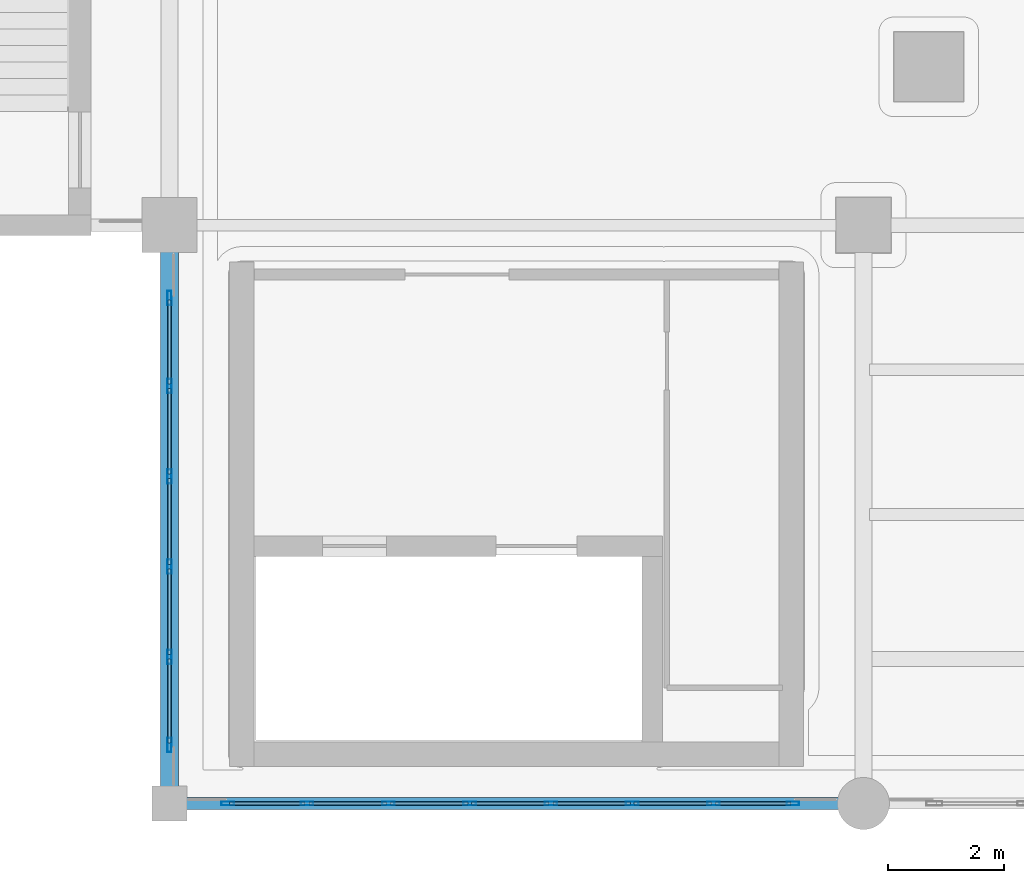
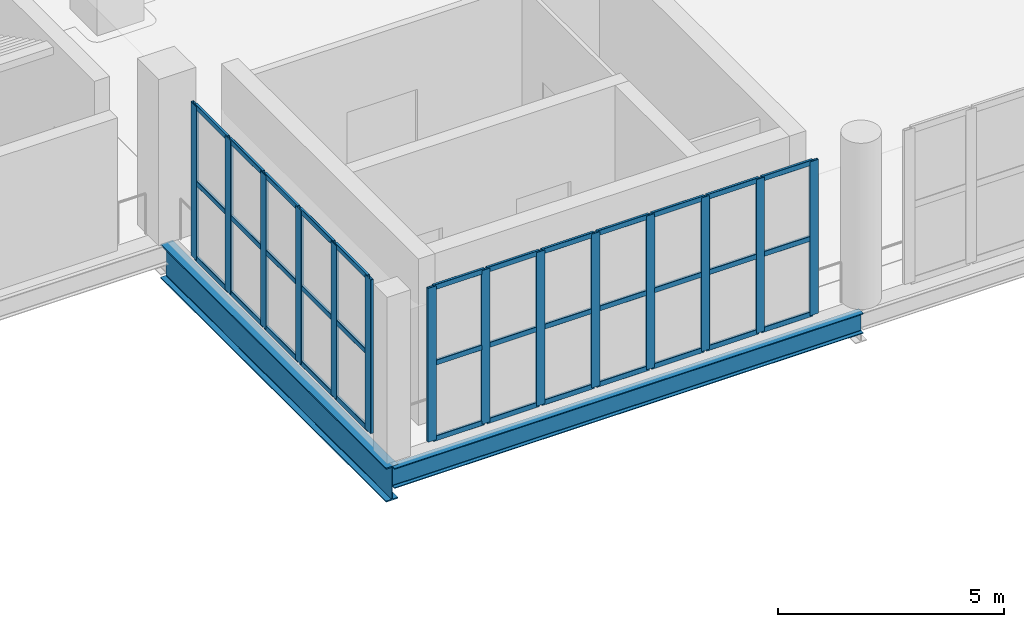
# One storey, part 18 of 90: 50 members, 2 beams, 2 elements without a shape of their own.
"""IFC4 building model written with IfcOpenShell, lengths in metres."""

from ifc_helpers import new_model, si_unit, direction, frame, origin, origin_2d, place, context, subcontext, project, spatial, hollow_rectangle, i_section, extrude, material, layer, layer_set, material_profile, profile_set, type_object, element, aggregate, save


model = new_model("IFC4")

# Units and contexts
model_context = context("Model", 3, precision=1e-05, world=origin(), true_north=direction((0.0, 1.0)))
body_context = subcontext(model_context, "Body", "Model", "MODEL_VIEW")
ifc_project = project(units=[si_unit("LENGTHUNIT", "METRE"), si_unit("AREAUNIT", "SQUARE_METRE"), si_unit("VOLUMEUNIT", "CUBIC_METRE"), si_unit("PLANEANGLEUNIT", "RADIAN"), si_unit("MASSUNIT", "GRAM", prefix="KILO")], contexts=[model_context])

# Site, building, storey
site_placement = place(None, origin())
site = spatial("IfcSite", under=ifc_project, at=site_placement, CompositionType="ELEMENT")
building_placement = place(site_placement, origin())
building = spatial("IfcBuilding", under=site, at=building_placement, Name="Brinegate Civic Arena", CompositionType="ELEMENT")
storey_placement = place(building_placement, frame((0.0, 0.0, 14.699951171875)))
storey = spatial("IfcBuildingStorey", under=building, at=storey_placement, Name="L03", CompositionType="ELEMENT", Elevation=14.699951171875)

# Curtain wall, members
ifc_material_1 = material(Name="Marine grade aluminium", Category="aluminium")
ifc_layer = layer(ifc_material_1, 0.25, Name="Marine grade aluminium")
ifc_layer_set = layer_set([ifc_layer], Name="Marine grade aluminium")
curtain_wall_type = type_object("IfcCurtainWallType", Name="CW-PORTAL-SOUTH-02", PredefinedType="USERDEFINED", material=ifc_layer_set)
curtain_wall_1_placement = place(storey_placement, origin())
curtain_wall_1 = element("IfcCurtainWall", 1, at=curtain_wall_1_placement, inside=storey, type_object=curtain_wall_type, Name="Curtain Wall CWA-125", ObjectType="PORTAL CURTAIN WALL", PredefinedType="USERDEFINED")
ifc_material_profile_1 = material_profile(ifc_material_1, hollow_rectangle(XDim=0.06494140625, YDim=0.219970703125, WallThickness=0.006103515625, InnerFilletRadius=0.00390625, OuterFilletRadius=0.008056640625, at=origin_2d()), Name="MUL65X220")
ifc_profile_set_1 = profile_set([ifc_material_profile_1], Name="Marine grade aluminium")
member_type_1 = type_object("IfcMemberType", Name="CW-MULLION-65X220", PredefinedType="MULLION", material=ifc_profile_set_1)
member_1_placement = place(storey_placement, frame((85.006591796875, 0.0, 0.0), z_axis=(0.0, 0.0, 1.0), x_axis=(0.0, 1.0, 0.0)))
member_1 = element("IfcMember", 2, at=member_1_placement, type_object=member_type_1, Name="CWA-125 mullion 1", PredefinedType="MULLION", context=body_context, shape_type="SweptSolid", body=[
    extrude(hollow_rectangle(XDim=0.06494140625, YDim=0.219970703125, WallThickness=0.006103515625, InnerFilletRadius=0.00390625, OuterFilletRadius=0.008056640625, at=origin_2d()), origin(), (0.0, 0.0, 1.0), 4.16015625),
])
member_2_placement = place(storey_placement, frame((86.379638671875, 0.0, 0.0), z_axis=(0.0, 0.0, 1.0), x_axis=(0.0, 1.0, 0.0)))
member_2 = element("IfcMember", 3, at=member_2_placement, type_object=member_type_1, Name="CWA-125 mullion 2", PredefinedType="MULLION", context=body_context, shape_type="SweptSolid", body=[
    extrude(hollow_rectangle(XDim=0.06494140625, YDim=0.219970703125, WallThickness=0.006103515625, InnerFilletRadius=0.00390625, OuterFilletRadius=0.008056640625, at=origin_2d()), origin(), (0.0, 0.0, 1.0), 4.16015625),
])
member_3_placement = place(storey_placement, frame((87.785400390625, 0.0, 0.0), z_axis=(0.0, 0.0, 1.0), x_axis=(0.0, 1.0, 0.0)))
member_3 = element("IfcMember", 4, at=member_3_placement, type_object=member_type_1, Name="CWA-125 mullion 3", PredefinedType="MULLION", context=body_context, shape_type="SweptSolid", body=[
    extrude(hollow_rectangle(XDim=0.06494140625, YDim=0.219970703125, WallThickness=0.006103515625, InnerFilletRadius=0.00390625, OuterFilletRadius=0.008056640625, at=origin_2d()), origin(), (0.0, 0.0, 1.0), 4.16015625),
])
member_4_placement = place(storey_placement, frame((89.191162109375, 0.0, 0.0), z_axis=(0.0, 0.0, 1.0), x_axis=(0.0, 1.0, 0.0)))
member_4 = element("IfcMember", 5, at=member_4_placement, type_object=member_type_1, Name="CWA-125 mullion 4", PredefinedType="MULLION", context=body_context, shape_type="SweptSolid", body=[
    extrude(hollow_rectangle(XDim=0.06494140625, YDim=0.219970703125, WallThickness=0.006103515625, InnerFilletRadius=0.00390625, OuterFilletRadius=0.008056640625, at=origin_2d()), origin(), (0.0, 0.0, 1.0), 4.16015625),
])
member_5_placement = place(storey_placement, frame((90.596923828125, 0.0, 0.0), z_axis=(0.0, 0.0, 1.0), x_axis=(0.0, 1.0, 0.0)))
member_5 = element("IfcMember", 6, at=member_5_placement, type_object=member_type_1, Name="CWA-125 mullion 5", PredefinedType="MULLION", context=body_context, shape_type="SweptSolid", body=[
    extrude(hollow_rectangle(XDim=0.06494140625, YDim=0.219970703125, WallThickness=0.006103515625, InnerFilletRadius=0.00390625, OuterFilletRadius=0.008056640625, at=origin_2d()), origin(), (0.0, 0.0, 1.0), 4.16015625),
])
member_6_placement = place(storey_placement, frame((92.002685546875, 0.0, 0.0), z_axis=(0.0, 0.0, 1.0), x_axis=(0.0, 1.0, 0.0)))
member_6 = element("IfcMember", 7, at=member_6_placement, type_object=member_type_1, Name="CWA-125 mullion 6", PredefinedType="MULLION", context=body_context, shape_type="SweptSolid", body=[
    extrude(hollow_rectangle(XDim=0.06494140625, YDim=0.219970703125, WallThickness=0.006103515625, InnerFilletRadius=0.00390625, OuterFilletRadius=0.008056640625, at=origin_2d()), origin(), (0.0, 0.0, 1.0), 4.16015625),
])
member_7_placement = place(storey_placement, frame((93.408203125, 0.0, 0.0), z_axis=(0.0, 0.0, 1.0), x_axis=(0.0, 1.0, 0.0)))
member_7 = element("IfcMember", 8, at=member_7_placement, type_object=member_type_1, Name="CWA-125 mullion 7", PredefinedType="MULLION", context=body_context, shape_type="SweptSolid", body=[
    extrude(hollow_rectangle(XDim=0.06494140625, YDim=0.219970703125, WallThickness=0.006103515625, InnerFilletRadius=0.00390625, OuterFilletRadius=0.008056640625, at=origin_2d()), origin(), (0.0, 0.0, 1.0), 4.16015625),
])
member_8_placement = place(storey_placement, frame((94.781494140625, 0.0, 0.0), z_axis=(0.0, 0.0, 1.0), x_axis=(0.0, 1.0, 0.0)))
member_8 = element("IfcMember", 9, at=member_8_placement, type_object=member_type_1, Name="CWA-125 mullion 8", PredefinedType="MULLION", context=body_context, shape_type="SweptSolid", body=[
    extrude(hollow_rectangle(XDim=0.06494140625, YDim=0.219970703125, WallThickness=0.006103515625, InnerFilletRadius=0.00390625, OuterFilletRadius=0.008056640625, at=origin_2d()), origin(), (0.0, 0.0, 1.0), 4.16015625),
])

curtain_wall_2_placement = place(storey_placement, origin())
curtain_wall_2 = element("IfcCurtainWall", 10, at=curtain_wall_2_placement, inside=storey, type_object=curtain_wall_type, Name="Curtain Wall CWA-130", ObjectType="PORTAL CURTAIN WALL", PredefinedType="USERDEFINED")
ifc_material_profile_2 = material_profile(ifc_material_1, hollow_rectangle(XDim=0.074951171875, YDim=0.25, WallThickness=0.006103515625, InnerFilletRadius=0.00390625, OuterFilletRadius=0.008056640625, at=origin_2d()), Name="MUL75X250")
ifc_profile_set_2 = profile_set([ifc_material_profile_2], Name="Marine grade aluminium")
member_type_2 = type_object("IfcMemberType", Name="CW-MULLION-75X250", PredefinedType="MULLION", material=ifc_profile_set_2)
member_9_placement = place(storey_placement, frame((84.0, 1.011474609375, 0.0), z_axis=(0.0, 0.0, 1.0), x_axis=(-1.0, 0.0, 0.0)))
member_9 = element("IfcMember", 11, at=member_9_placement, type_object=member_type_2, Name="CWA-130 mullion 1", PredefinedType="MULLION", context=body_context, shape_type="SweptSolid", body=[
    extrude(hollow_rectangle(XDim=0.074951171875, YDim=0.25, WallThickness=0.006103515625, InnerFilletRadius=0.00390625, OuterFilletRadius=0.008056640625, at=origin_2d()), origin(), (0.0, 0.0, 1.0), 4.16015625),
])
member_10_placement = place(storey_placement, frame((84.0, 2.534912109375, 0.0), z_axis=(0.0, 0.0, 1.0), x_axis=(-1.0, 0.0, 0.0)))
member_10 = element("IfcMember", 12, at=member_10_placement, type_object=member_type_2, Name="CWA-130 mullion 2", PredefinedType="MULLION", context=body_context, shape_type="SweptSolid", body=[
    extrude(hollow_rectangle(XDim=0.074951171875, YDim=0.25, WallThickness=0.006103515625, InnerFilletRadius=0.00390625, OuterFilletRadius=0.008056640625, at=origin_2d()), origin(), (0.0, 0.0, 1.0), 4.16015625),
])
member_11_placement = place(storey_placement, frame((84.0, 4.095703125, 0.0), z_axis=(0.0, 0.0, 1.0), x_axis=(-1.0, 0.0, 0.0)))
member_11 = element("IfcMember", 13, at=member_11_placement, type_object=member_type_2, Name="CWA-130 mullion 3", PredefinedType="MULLION", context=body_context, shape_type="SweptSolid", body=[
    extrude(hollow_rectangle(XDim=0.074951171875, YDim=0.25, WallThickness=0.006103515625, InnerFilletRadius=0.00390625, OuterFilletRadius=0.008056640625, at=origin_2d()), origin(), (0.0, 0.0, 1.0), 4.16015625),
])
member_12_placement = place(storey_placement, frame((84.0, 5.656494140625, 0.0), z_axis=(0.0, 0.0, 1.0), x_axis=(-1.0, 0.0, 0.0)))
member_12 = element("IfcMember", 14, at=member_12_placement, type_object=member_type_2, Name="CWA-130 mullion 4", PredefinedType="MULLION", context=body_context, shape_type="SweptSolid", body=[
    extrude(hollow_rectangle(XDim=0.074951171875, YDim=0.25, WallThickness=0.006103515625, InnerFilletRadius=0.00390625, OuterFilletRadius=0.008056640625, at=origin_2d()), origin(), (0.0, 0.0, 1.0), 4.16015625),
])
member_13_placement = place(storey_placement, frame((84.0, 7.21728515625, 0.0), z_axis=(0.0, 0.0, 1.0), x_axis=(-1.0, 0.0, 0.0)))
member_13 = element("IfcMember", 15, at=member_13_placement, type_object=member_type_2, Name="CWA-130 mullion 5", PredefinedType="MULLION", context=body_context, shape_type="SweptSolid", body=[
    extrude(hollow_rectangle(XDim=0.074951171875, YDim=0.25, WallThickness=0.006103515625, InnerFilletRadius=0.00390625, OuterFilletRadius=0.008056640625, at=origin_2d()), origin(), (0.0, 0.0, 1.0), 4.16015625),
])
member_14_placement = place(storey_placement, frame((84.0, 8.740478515625, 0.0), z_axis=(0.0, 0.0, 1.0), x_axis=(-1.0, 0.0, 0.0)))
member_14 = element("IfcMember", 16, at=member_14_placement, type_object=member_type_2, Name="CWA-130 mullion 6", PredefinedType="MULLION", context=body_context, shape_type="SweptSolid", body=[
    extrude(hollow_rectangle(XDim=0.074951171875, YDim=0.25, WallThickness=0.006103515625, InnerFilletRadius=0.00390625, OuterFilletRadius=0.008056640625, at=origin_2d()), origin(), (0.0, 0.0, 1.0), 4.16015625),
])

# Member
ifc_material_profile_3 = material_profile(ifc_material_1, hollow_rectangle(XDim=0.06494140625, YDim=0.139892578125, WallThickness=0.0048828125, InnerFilletRadius=0.00390625, OuterFilletRadius=0.008056640625, at=origin_2d()), Name="TRN65X140")
ifc_profile_set_3 = profile_set([ifc_material_profile_3], Name="Marine grade aluminium")
member_type_3 = type_object("IfcMemberType", Name="CW-TRANSOM-65X140", PredefinedType="USERDEFINED", material=ifc_profile_set_3)
member_15_placement = place(storey_placement, frame((85.0390625, 0.0, 0.032470703125), z_axis=(1.0, 0.0, 0.0), x_axis=(0.0, 1.0, 0.0)))
member_15 = element("IfcMember", 17, at=member_15_placement, type_object=member_type_3, Name="CWA-125 transom 1.1", ObjectType="TRANSOM", PredefinedType="USERDEFINED", context=body_context, shape_type="SweptSolid", body=[
    extrude(hollow_rectangle(XDim=0.06494140625, YDim=0.139892578125, WallThickness=0.0048828125, InnerFilletRadius=0.00390625, OuterFilletRadius=0.008056640625, at=origin_2d()), origin(), (0.0, 0.0, 1.0), 1.30810546875),
])

member_16_placement = place(storey_placement, frame((85.0390625, 0.0, 2.080078125), z_axis=(1.0, 0.0, 0.0), x_axis=(0.0, 1.0, 0.0)))
member_16 = element("IfcMember", 18, at=member_16_placement, type_object=member_type_3, Name="CWA-125 transom 1.2", ObjectType="TRANSOM", PredefinedType="USERDEFINED", context=body_context, shape_type="SweptSolid", body=[
    extrude(hollow_rectangle(XDim=0.06494140625, YDim=0.139892578125, WallThickness=0.0048828125, InnerFilletRadius=0.00390625, OuterFilletRadius=0.008056640625, at=origin_2d()), origin(), (0.0, 0.0, 1.0), 1.30810546875),
])

member_17_placement = place(storey_placement, frame((85.0390625, 0.0, 4.12744140625), z_axis=(1.0, 0.0, 0.0), x_axis=(0.0, 1.0, 0.0)))
member_17 = element("IfcMember", 19, at=member_17_placement, type_object=member_type_3, Name="CWA-125 transom 1.3", ObjectType="TRANSOM", PredefinedType="USERDEFINED", context=body_context, shape_type="SweptSolid", body=[
    extrude(hollow_rectangle(XDim=0.06494140625, YDim=0.139892578125, WallThickness=0.0048828125, InnerFilletRadius=0.00390625, OuterFilletRadius=0.008056640625, at=origin_2d()), origin(), (0.0, 0.0, 1.0), 1.30810546875),
])

member_18_placement = place(storey_placement, frame((86.412109375, 0.0, 0.032470703125), z_axis=(1.0, 0.0, 0.0), x_axis=(0.0, 1.0, 0.0)))
member_18 = element("IfcMember", 20, at=member_18_placement, type_object=member_type_3, Name="CWA-125 transom 2.1", ObjectType="TRANSOM", PredefinedType="USERDEFINED", context=body_context, shape_type="SweptSolid", body=[
    extrude(hollow_rectangle(XDim=0.06494140625, YDim=0.139892578125, WallThickness=0.0048828125, InnerFilletRadius=0.00390625, OuterFilletRadius=0.008056640625, at=origin_2d()), origin(), (0.0, 0.0, 1.0), 1.3408203125),
])

member_19_placement = place(storey_placement, frame((86.412109375, 0.0, 2.080078125), z_axis=(1.0, 0.0, 0.0), x_axis=(0.0, 1.0, 0.0)))
member_19 = element("IfcMember", 21, at=member_19_placement, type_object=member_type_3, Name="CWA-125 transom 2.2", ObjectType="TRANSOM", PredefinedType="USERDEFINED", context=body_context, shape_type="SweptSolid", body=[
    extrude(hollow_rectangle(XDim=0.06494140625, YDim=0.139892578125, WallThickness=0.0048828125, InnerFilletRadius=0.00390625, OuterFilletRadius=0.008056640625, at=origin_2d()), origin(), (0.0, 0.0, 1.0), 1.3408203125),
])

member_20_placement = place(storey_placement, frame((86.412109375, 0.0, 4.12744140625), z_axis=(1.0, 0.0, 0.0), x_axis=(0.0, 1.0, 0.0)))
member_20 = element("IfcMember", 22, at=member_20_placement, type_object=member_type_3, Name="CWA-125 transom 2.3", ObjectType="TRANSOM", PredefinedType="USERDEFINED", context=body_context, shape_type="SweptSolid", body=[
    extrude(hollow_rectangle(XDim=0.06494140625, YDim=0.139892578125, WallThickness=0.0048828125, InnerFilletRadius=0.00390625, OuterFilletRadius=0.008056640625, at=origin_2d()), origin(), (0.0, 0.0, 1.0), 1.3408203125),
])

member_21_placement = place(storey_placement, frame((87.81787109375, 0.0, 0.032470703125), z_axis=(1.0, 0.0, 0.0), x_axis=(0.0, 1.0, 0.0)))
member_21 = element("IfcMember", 23, at=member_21_placement, type_object=member_type_3, Name="CWA-125 transom 3.1", ObjectType="TRANSOM", PredefinedType="USERDEFINED", context=body_context, shape_type="SweptSolid", body=[
    extrude(hollow_rectangle(XDim=0.06494140625, YDim=0.139892578125, WallThickness=0.0048828125, InnerFilletRadius=0.00390625, OuterFilletRadius=0.008056640625, at=origin_2d()), origin(), (0.0, 0.0, 1.0), 1.3408203125),
])

member_22_placement = place(storey_placement, frame((87.81787109375, 0.0, 2.080078125), z_axis=(1.0, 0.0, 0.0), x_axis=(0.0, 1.0, 0.0)))
member_22 = element("IfcMember", 24, at=member_22_placement, type_object=member_type_3, Name="CWA-125 transom 3.2", ObjectType="TRANSOM", PredefinedType="USERDEFINED", context=body_context, shape_type="SweptSolid", body=[
    extrude(hollow_rectangle(XDim=0.06494140625, YDim=0.139892578125, WallThickness=0.0048828125, InnerFilletRadius=0.00390625, OuterFilletRadius=0.008056640625, at=origin_2d()), origin(), (0.0, 0.0, 1.0), 1.3408203125),
])

member_23_placement = place(storey_placement, frame((87.81787109375, 0.0, 4.12744140625), z_axis=(1.0, 0.0, 0.0), x_axis=(0.0, 1.0, 0.0)))
member_23 = element("IfcMember", 25, at=member_23_placement, type_object=member_type_3, Name="CWA-125 transom 3.3", ObjectType="TRANSOM", PredefinedType="USERDEFINED", context=body_context, shape_type="SweptSolid", body=[
    extrude(hollow_rectangle(XDim=0.06494140625, YDim=0.139892578125, WallThickness=0.0048828125, InnerFilletRadius=0.00390625, OuterFilletRadius=0.008056640625, at=origin_2d()), origin(), (0.0, 0.0, 1.0), 1.3408203125),
])

member_24_placement = place(storey_placement, frame((89.2236328125, 0.0, 0.032470703125), z_axis=(1.0, 0.0, 0.0), x_axis=(0.0, 1.0, 0.0)))
member_24 = element("IfcMember", 26, at=member_24_placement, type_object=member_type_3, Name="CWA-125 transom 4.1", ObjectType="TRANSOM", PredefinedType="USERDEFINED", context=body_context, shape_type="SweptSolid", body=[
    extrude(hollow_rectangle(XDim=0.06494140625, YDim=0.139892578125, WallThickness=0.0048828125, InnerFilletRadius=0.00390625, OuterFilletRadius=0.008056640625, at=origin_2d()), origin(), (0.0, 0.0, 1.0), 1.3408203125),
])

member_25_placement = place(storey_placement, frame((89.2236328125, 0.0, 2.080078125), z_axis=(1.0, 0.0, 0.0), x_axis=(0.0, 1.0, 0.0)))
member_25 = element("IfcMember", 27, at=member_25_placement, type_object=member_type_3, Name="CWA-125 transom 4.2", ObjectType="TRANSOM", PredefinedType="USERDEFINED", context=body_context, shape_type="SweptSolid", body=[
    extrude(hollow_rectangle(XDim=0.06494140625, YDim=0.139892578125, WallThickness=0.0048828125, InnerFilletRadius=0.00390625, OuterFilletRadius=0.008056640625, at=origin_2d()), origin(), (0.0, 0.0, 1.0), 1.3408203125),
])

member_26_placement = place(storey_placement, frame((89.2236328125, 0.0, 4.12744140625), z_axis=(1.0, 0.0, 0.0), x_axis=(0.0, 1.0, 0.0)))
member_26 = element("IfcMember", 28, at=member_26_placement, type_object=member_type_3, Name="CWA-125 transom 4.3", ObjectType="TRANSOM", PredefinedType="USERDEFINED", context=body_context, shape_type="SweptSolid", body=[
    extrude(hollow_rectangle(XDim=0.06494140625, YDim=0.139892578125, WallThickness=0.0048828125, InnerFilletRadius=0.00390625, OuterFilletRadius=0.008056640625, at=origin_2d()), origin(), (0.0, 0.0, 1.0), 1.3408203125),
])

member_27_placement = place(storey_placement, frame((90.62939453125, 0.0, 0.032470703125), z_axis=(1.0, 0.0, 0.0), x_axis=(0.0, 1.0, 0.0)))
member_27 = element("IfcMember", 29, at=member_27_placement, type_object=member_type_3, Name="CWA-125 transom 5.1", ObjectType="TRANSOM", PredefinedType="USERDEFINED", context=body_context, shape_type="SweptSolid", body=[
    extrude(hollow_rectangle(XDim=0.06494140625, YDim=0.139892578125, WallThickness=0.0048828125, InnerFilletRadius=0.00390625, OuterFilletRadius=0.008056640625, at=origin_2d()), origin(), (0.0, 0.0, 1.0), 1.340576171875),
])

member_28_placement = place(storey_placement, frame((90.62939453125, 0.0, 2.080078125), z_axis=(1.0, 0.0, 0.0), x_axis=(0.0, 1.0, 0.0)))
member_28 = element("IfcMember", 30, at=member_28_placement, type_object=member_type_3, Name="CWA-125 transom 5.2", ObjectType="TRANSOM", PredefinedType="USERDEFINED", context=body_context, shape_type="SweptSolid", body=[
    extrude(hollow_rectangle(XDim=0.06494140625, YDim=0.139892578125, WallThickness=0.0048828125, InnerFilletRadius=0.00390625, OuterFilletRadius=0.008056640625, at=origin_2d()), origin(), (0.0, 0.0, 1.0), 1.340576171875),
])

member_29_placement = place(storey_placement, frame((90.62939453125, 0.0, 4.12744140625), z_axis=(1.0, 0.0, 0.0), x_axis=(0.0, 1.0, 0.0)))
member_29 = element("IfcMember", 31, at=member_29_placement, type_object=member_type_3, Name="CWA-125 transom 5.3", ObjectType="TRANSOM", PredefinedType="USERDEFINED", context=body_context, shape_type="SweptSolid", body=[
    extrude(hollow_rectangle(XDim=0.06494140625, YDim=0.139892578125, WallThickness=0.0048828125, InnerFilletRadius=0.00390625, OuterFilletRadius=0.008056640625, at=origin_2d()), origin(), (0.0, 0.0, 1.0), 1.340576171875),
])

member_30_placement = place(storey_placement, frame((92.03515625, 0.0, 0.032470703125), z_axis=(1.0, 0.0, 0.0), x_axis=(0.0, 1.0, 0.0)))
member_30 = element("IfcMember", 32, at=member_30_placement, type_object=member_type_3, Name="CWA-125 transom 6.1", ObjectType="TRANSOM", PredefinedType="USERDEFINED", context=body_context, shape_type="SweptSolid", body=[
    extrude(hollow_rectangle(XDim=0.06494140625, YDim=0.139892578125, WallThickness=0.0048828125, InnerFilletRadius=0.00390625, OuterFilletRadius=0.008056640625, at=origin_2d()), origin(), (0.0, 0.0, 1.0), 1.340576171875),
])

member_31_placement = place(storey_placement, frame((92.03515625, 0.0, 2.080078125), z_axis=(1.0, 0.0, 0.0), x_axis=(0.0, 1.0, 0.0)))
member_31 = element("IfcMember", 33, at=member_31_placement, type_object=member_type_3, Name="CWA-125 transom 6.2", ObjectType="TRANSOM", PredefinedType="USERDEFINED", context=body_context, shape_type="SweptSolid", body=[
    extrude(hollow_rectangle(XDim=0.06494140625, YDim=0.139892578125, WallThickness=0.0048828125, InnerFilletRadius=0.00390625, OuterFilletRadius=0.008056640625, at=origin_2d()), origin(), (0.0, 0.0, 1.0), 1.340576171875),
])

member_32_placement = place(storey_placement, frame((92.03515625, 0.0, 4.12744140625), z_axis=(1.0, 0.0, 0.0), x_axis=(0.0, 1.0, 0.0)))
member_32 = element("IfcMember", 34, at=member_32_placement, type_object=member_type_3, Name="CWA-125 transom 6.3", ObjectType="TRANSOM", PredefinedType="USERDEFINED", context=body_context, shape_type="SweptSolid", body=[
    extrude(hollow_rectangle(XDim=0.06494140625, YDim=0.139892578125, WallThickness=0.0048828125, InnerFilletRadius=0.00390625, OuterFilletRadius=0.008056640625, at=origin_2d()), origin(), (0.0, 0.0, 1.0), 1.340576171875),
])

member_33_placement = place(storey_placement, frame((93.440673828125, 0.0, 0.032470703125), z_axis=(1.0, 0.0, 0.0), x_axis=(0.0, 1.0, 0.0)))
member_33 = element("IfcMember", 35, at=member_33_placement, type_object=member_type_3, Name="CWA-125 transom 7.1", ObjectType="TRANSOM", PredefinedType="USERDEFINED", context=body_context, shape_type="SweptSolid", body=[
    extrude(hollow_rectangle(XDim=0.06494140625, YDim=0.139892578125, WallThickness=0.0048828125, InnerFilletRadius=0.00390625, OuterFilletRadius=0.008056640625, at=origin_2d()), origin(), (0.0, 0.0, 1.0), 1.308349609375),
])

member_34_placement = place(storey_placement, frame((93.440673828125, 0.0, 2.080078125), z_axis=(1.0, 0.0, 0.0), x_axis=(0.0, 1.0, 0.0)))
member_34 = element("IfcMember", 36, at=member_34_placement, type_object=member_type_3, Name="CWA-125 transom 7.2", ObjectType="TRANSOM", PredefinedType="USERDEFINED", context=body_context, shape_type="SweptSolid", body=[
    extrude(hollow_rectangle(XDim=0.06494140625, YDim=0.139892578125, WallThickness=0.0048828125, InnerFilletRadius=0.00390625, OuterFilletRadius=0.008056640625, at=origin_2d()), origin(), (0.0, 0.0, 1.0), 1.308349609375),
])

member_35_placement = place(storey_placement, frame((93.440673828125, 0.0, 4.12744140625), z_axis=(1.0, 0.0, 0.0), x_axis=(0.0, 1.0, 0.0)))
member_35 = element("IfcMember", 37, at=member_35_placement, type_object=member_type_3, Name="CWA-125 transom 7.3", ObjectType="TRANSOM", PredefinedType="USERDEFINED", context=body_context, shape_type="SweptSolid", body=[
    extrude(hollow_rectangle(XDim=0.06494140625, YDim=0.139892578125, WallThickness=0.0048828125, InnerFilletRadius=0.00390625, OuterFilletRadius=0.008056640625, at=origin_2d()), origin(), (0.0, 0.0, 1.0), 1.308349609375),
])

aggregate(curtain_wall_1, [member_1, member_2, member_3, member_4, member_5, member_6, member_7, member_8, member_15, member_16, member_17, member_18, member_19, member_20, member_21, member_22, member_23, member_24, member_25, member_26, member_27, member_28, member_29, member_30, member_31, member_32, member_33, member_34, member_35])

member_36_placement = place(storey_placement, frame((84.0, 1.049072265625, 0.032470703125), z_axis=(0.0, 1.0, 0.0), x_axis=(-1.0, 0.0, 0.0)))
member_36 = element("IfcMember", 38, at=member_36_placement, type_object=member_type_3, Name="CWA-130 transom 1.1", ObjectType="TRANSOM", PredefinedType="USERDEFINED", context=body_context, shape_type="SweptSolid", body=[
    extrude(hollow_rectangle(XDim=0.06494140625, YDim=0.139892578125, WallThickness=0.0048828125, InnerFilletRadius=0.00390625, OuterFilletRadius=0.008056640625, at=origin_2d()), origin(), (0.0, 0.0, 1.0), 1.4482421875),
])

member_37_placement = place(storey_placement, frame((84.0, 1.049072265625, 2.080078125), z_axis=(0.0, 1.0, 0.0), x_axis=(-1.0, 0.0, 0.0)))
member_37 = element("IfcMember", 39, at=member_37_placement, type_object=member_type_3, Name="CWA-130 transom 1.2", ObjectType="TRANSOM", PredefinedType="USERDEFINED", context=body_context, shape_type="SweptSolid", body=[
    extrude(hollow_rectangle(XDim=0.06494140625, YDim=0.139892578125, WallThickness=0.0048828125, InnerFilletRadius=0.00390625, OuterFilletRadius=0.008056640625, at=origin_2d()), origin(), (0.0, 0.0, 1.0), 1.4482421875),
])

member_38_placement = place(storey_placement, frame((84.0, 1.049072265625, 4.12744140625), z_axis=(0.0, 1.0, 0.0), x_axis=(-1.0, 0.0, 0.0)))
member_38 = element("IfcMember", 40, at=member_38_placement, type_object=member_type_3, Name="CWA-130 transom 1.3", ObjectType="TRANSOM", PredefinedType="USERDEFINED", context=body_context, shape_type="SweptSolid", body=[
    extrude(hollow_rectangle(XDim=0.06494140625, YDim=0.139892578125, WallThickness=0.0048828125, InnerFilletRadius=0.00390625, OuterFilletRadius=0.008056640625, at=origin_2d()), origin(), (0.0, 0.0, 1.0), 1.4482421875),
])

member_39_placement = place(storey_placement, frame((84.0, 2.572265625, 0.032470703125), z_axis=(0.0, 1.0, 0.0), x_axis=(-1.0, 0.0, 0.0)))
member_39 = element("IfcMember", 41, at=member_39_placement, type_object=member_type_3, Name="CWA-130 transom 2.1", ObjectType="TRANSOM", PredefinedType="USERDEFINED", context=body_context, shape_type="SweptSolid", body=[
    extrude(hollow_rectangle(XDim=0.06494140625, YDim=0.139892578125, WallThickness=0.0048828125, InnerFilletRadius=0.00390625, OuterFilletRadius=0.008056640625, at=origin_2d()), origin(), (0.0, 0.0, 1.0), 1.48583984375),
])

member_40_placement = place(storey_placement, frame((84.0, 2.572265625, 2.080078125), z_axis=(0.0, 1.0, 0.0), x_axis=(-1.0, 0.0, 0.0)))
member_40 = element("IfcMember", 42, at=member_40_placement, type_object=member_type_3, Name="CWA-130 transom 2.2", ObjectType="TRANSOM", PredefinedType="USERDEFINED", context=body_context, shape_type="SweptSolid", body=[
    extrude(hollow_rectangle(XDim=0.06494140625, YDim=0.139892578125, WallThickness=0.0048828125, InnerFilletRadius=0.00390625, OuterFilletRadius=0.008056640625, at=origin_2d()), origin(), (0.0, 0.0, 1.0), 1.48583984375),
])

member_41_placement = place(storey_placement, frame((84.0, 2.572265625, 4.12744140625), z_axis=(0.0, 1.0, 0.0), x_axis=(-1.0, 0.0, 0.0)))
member_41 = element("IfcMember", 43, at=member_41_placement, type_object=member_type_3, Name="CWA-130 transom 2.3", ObjectType="TRANSOM", PredefinedType="USERDEFINED", context=body_context, shape_type="SweptSolid", body=[
    extrude(hollow_rectangle(XDim=0.06494140625, YDim=0.139892578125, WallThickness=0.0048828125, InnerFilletRadius=0.00390625, OuterFilletRadius=0.008056640625, at=origin_2d()), origin(), (0.0, 0.0, 1.0), 1.48583984375),
])

member_42_placement = place(storey_placement, frame((84.0, 4.133056640625, 0.032470703125), z_axis=(0.0, 1.0, 0.0), x_axis=(-1.0, 0.0, 0.0)))
member_42 = element("IfcMember", 44, at=member_42_placement, type_object=member_type_3, Name="CWA-130 transom 3.1", ObjectType="TRANSOM", PredefinedType="USERDEFINED", context=body_context, shape_type="SweptSolid", body=[
    extrude(hollow_rectangle(XDim=0.06494140625, YDim=0.139892578125, WallThickness=0.0048828125, InnerFilletRadius=0.00390625, OuterFilletRadius=0.008056640625, at=origin_2d()), origin(), (0.0, 0.0, 1.0), 1.48583984375),
])

member_43_placement = place(storey_placement, frame((84.0, 4.133056640625, 2.080078125), z_axis=(0.0, 1.0, 0.0), x_axis=(-1.0, 0.0, 0.0)))
member_43 = element("IfcMember", 45, at=member_43_placement, type_object=member_type_3, Name="CWA-130 transom 3.2", ObjectType="TRANSOM", PredefinedType="USERDEFINED", context=body_context, shape_type="SweptSolid", body=[
    extrude(hollow_rectangle(XDim=0.06494140625, YDim=0.139892578125, WallThickness=0.0048828125, InnerFilletRadius=0.00390625, OuterFilletRadius=0.008056640625, at=origin_2d()), origin(), (0.0, 0.0, 1.0), 1.48583984375),
])

member_44_placement = place(storey_placement, frame((84.0, 4.133056640625, 4.12744140625), z_axis=(0.0, 1.0, 0.0), x_axis=(-1.0, 0.0, 0.0)))
member_44 = element("IfcMember", 46, at=member_44_placement, type_object=member_type_3, Name="CWA-130 transom 3.3", ObjectType="TRANSOM", PredefinedType="USERDEFINED", context=body_context, shape_type="SweptSolid", body=[
    extrude(hollow_rectangle(XDim=0.06494140625, YDim=0.139892578125, WallThickness=0.0048828125, InnerFilletRadius=0.00390625, OuterFilletRadius=0.008056640625, at=origin_2d()), origin(), (0.0, 0.0, 1.0), 1.48583984375),
])

member_45_placement = place(storey_placement, frame((84.0, 5.69384765625, 0.032470703125), z_axis=(0.0, 1.0, 0.0), x_axis=(-1.0, 0.0, 0.0)))
member_45 = element("IfcMember", 47, at=member_45_placement, type_object=member_type_3, Name="CWA-130 transom 4.1", ObjectType="TRANSOM", PredefinedType="USERDEFINED", context=body_context, shape_type="SweptSolid", body=[
    extrude(hollow_rectangle(XDim=0.06494140625, YDim=0.139892578125, WallThickness=0.0048828125, InnerFilletRadius=0.00390625, OuterFilletRadius=0.008056640625, at=origin_2d()), origin(), (0.0, 0.0, 1.0), 1.48583984375),
])

member_46_placement = place(storey_placement, frame((84.0, 5.69384765625, 2.080078125), z_axis=(0.0, 1.0, 0.0), x_axis=(-1.0, 0.0, 0.0)))
member_46 = element("IfcMember", 48, at=member_46_placement, type_object=member_type_3, Name="CWA-130 transom 4.2", ObjectType="TRANSOM", PredefinedType="USERDEFINED", context=body_context, shape_type="SweptSolid", body=[
    extrude(hollow_rectangle(XDim=0.06494140625, YDim=0.139892578125, WallThickness=0.0048828125, InnerFilletRadius=0.00390625, OuterFilletRadius=0.008056640625, at=origin_2d()), origin(), (0.0, 0.0, 1.0), 1.48583984375),
])

member_47_placement = place(storey_placement, frame((84.0, 5.69384765625, 4.12744140625), z_axis=(0.0, 1.0, 0.0), x_axis=(-1.0, 0.0, 0.0)))
member_47 = element("IfcMember", 49, at=member_47_placement, type_object=member_type_3, Name="CWA-130 transom 4.3", ObjectType="TRANSOM", PredefinedType="USERDEFINED", context=body_context, shape_type="SweptSolid", body=[
    extrude(hollow_rectangle(XDim=0.06494140625, YDim=0.139892578125, WallThickness=0.0048828125, InnerFilletRadius=0.00390625, OuterFilletRadius=0.008056640625, at=origin_2d()), origin(), (0.0, 0.0, 1.0), 1.48583984375),
])

member_48_placement = place(storey_placement, frame((84.0, 7.254638671875, 0.032470703125), z_axis=(0.0, 1.0, 0.0), x_axis=(-1.0, 0.0, 0.0)))
member_48 = element("IfcMember", 50, at=member_48_placement, type_object=member_type_3, Name="CWA-130 transom 5.1", ObjectType="TRANSOM", PredefinedType="USERDEFINED", context=body_context, shape_type="SweptSolid", body=[
    extrude(hollow_rectangle(XDim=0.06494140625, YDim=0.139892578125, WallThickness=0.0048828125, InnerFilletRadius=0.00390625, OuterFilletRadius=0.008056640625, at=origin_2d()), origin(), (0.0, 0.0, 1.0), 1.4482421875),
])

member_49_placement = place(storey_placement, frame((84.0, 7.254638671875, 2.080078125), z_axis=(0.0, 1.0, 0.0), x_axis=(-1.0, 0.0, 0.0)))
member_49 = element("IfcMember", 51, at=member_49_placement, type_object=member_type_3, Name="CWA-130 transom 5.2", ObjectType="TRANSOM", PredefinedType="USERDEFINED", context=body_context, shape_type="SweptSolid", body=[
    extrude(hollow_rectangle(XDim=0.06494140625, YDim=0.139892578125, WallThickness=0.0048828125, InnerFilletRadius=0.00390625, OuterFilletRadius=0.008056640625, at=origin_2d()), origin(), (0.0, 0.0, 1.0), 1.4482421875),
])

member_50_placement = place(storey_placement, frame((84.0, 7.254638671875, 4.12744140625), z_axis=(0.0, 1.0, 0.0), x_axis=(-1.0, 0.0, 0.0)))
member_50 = element("IfcMember", 52, at=member_50_placement, type_object=member_type_3, Name="CWA-130 transom 5.3", ObjectType="TRANSOM", PredefinedType="USERDEFINED", context=body_context, shape_type="SweptSolid", body=[
    extrude(hollow_rectangle(XDim=0.06494140625, YDim=0.139892578125, WallThickness=0.0048828125, InnerFilletRadius=0.00390625, OuterFilletRadius=0.008056640625, at=origin_2d()), origin(), (0.0, 0.0, 1.0), 1.4482421875),
])

aggregate(curtain_wall_2, [member_9, member_10, member_11, member_12, member_13, member_14, member_36, member_37, member_38, member_39, member_40, member_41, member_42, member_43, member_44, member_45, member_46, member_47, member_48, member_49, member_50])

# Beams
ifc_material_2 = material(Name="Steel S355", Category="steel")
ifc_material_profile_4 = material_profile(ifc_material_2, i_section(OverallWidth=0.30810546875, OverallDepth=0.927001953125, WebThickness=0.01904296875, FlangeThickness=0.031982421875, FilletRadius=0.02392578125, at=origin_2d()), Name="W920X289")
ifc_profile_set_4 = profile_set([ifc_material_profile_4], Name="Steel S355")
beam_type_1 = type_object("IfcBeamType", Name="GIRDER-W920X289", PredefinedType="BEAM", material=ifc_profile_set_4)
beam_1_placement = place(storey_placement, frame((84.0, 0.0, -0.81298828125), z_axis=(0.0, 1.0, 0.0), x_axis=(-1.0, 0.0, 0.0)))
element("IfcBeam", 53, at=beam_1_placement, inside=storey, type_object=beam_type_1, Name="Floor Girder BM-L03-GY-07-00", PredefinedType="BEAM", context=body_context, shape_type="SweptSolid", body=[
    extrude(i_section(OverallWidth=0.30810546875, OverallDepth=0.927001953125, WebThickness=0.01904296875, FlangeThickness=0.031982421875, FilletRadius=0.02392578125, at=origin_2d()), origin(), (0.0, 0.0, 1.0), 10.0),
])
ifc_material_profile_5 = material_profile(ifc_material_2, i_section(OverallWidth=0.2119140625, OverallDepth=0.5439453125, WebThickness=0.012939453125, FlangeThickness=0.02099609375, FilletRadius=0.01611328125, at=origin_2d()), Name="W530X123")
ifc_profile_set_5 = profile_set([ifc_material_profile_5], Name="Steel S355")
beam_type_2 = type_object("IfcBeamType", Name="SPANDREL-W530X123", PredefinedType="SPANDREL", material=ifc_profile_set_5)
beam_2_placement = place(storey_placement, frame((84.0, 0.0, -0.6220703125), z_axis=(1.0, 0.0, 0.0), x_axis=(0.0, 1.0, 0.0)))
element("IfcBeam", 54, at=beam_2_placement, inside=storey, type_object=beam_type_2, Name="Floor Girder BM-L03-GX-07-00", PredefinedType="SPANDREL", context=body_context, shape_type="SweptSolid", body=[
    extrude(i_section(OverallWidth=0.2119140625, OverallDepth=0.5439453125, WebThickness=0.012939453125, FlangeThickness=0.02099609375, FilletRadius=0.01611328125, at=origin_2d()), origin(), (0.0, 0.0, 1.0), 12.0),
])

save(model, "model.ifc")
